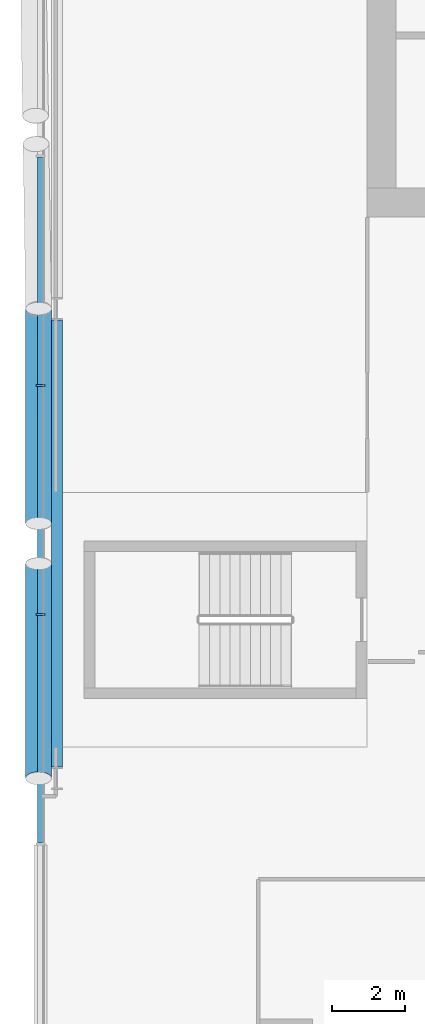
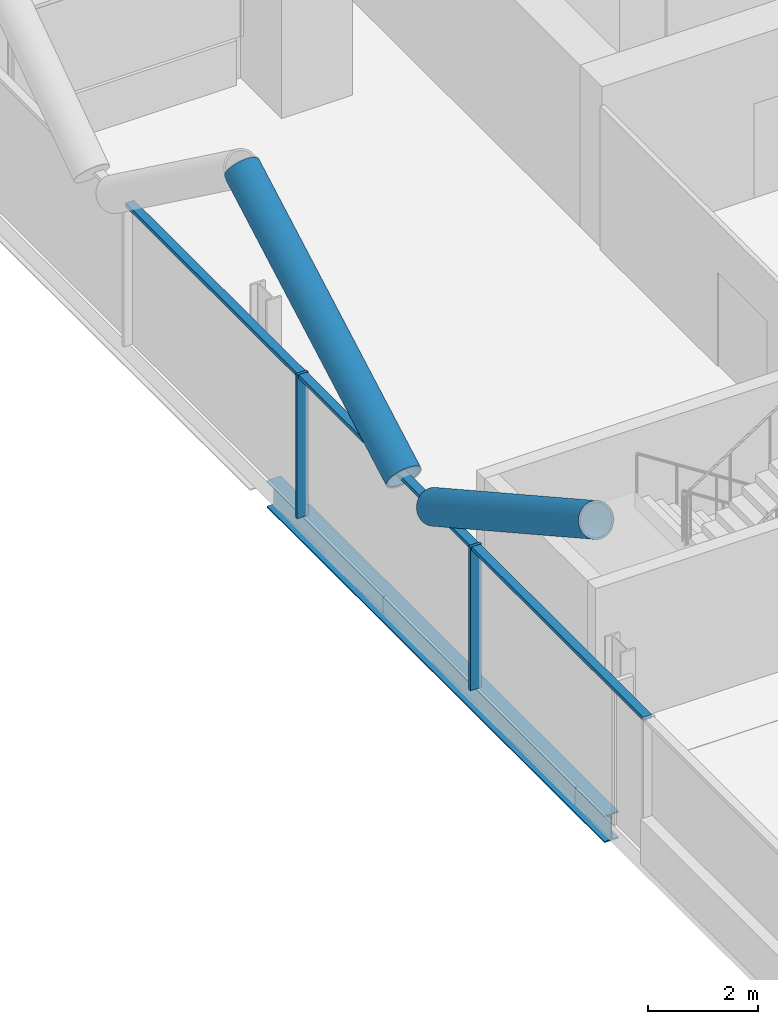
# One storey, part 7 of 26: 7 members, 1 beam, 1 element without a shape of its own.
"""IFC4 building model written with IfcOpenShell, lengths in metres."""

from ifc_helpers import new_model, si_unit, direction, frame, origin, origin_2d, place, context, subcontext, project, spatial, rectangle, hollow_circle, i_section, extrude, material, material_profile, profile_set, type_object, element, aggregate, save


model = new_model("IFC4")

# Units and contexts
model_context = context("Model", 3, precision=1e-05, world=origin(), true_north=direction((0.0, 1.0)))
body_context = subcontext(model_context, "Body", "Model", "MODEL_VIEW")
ifc_project = project(units=[si_unit("LENGTHUNIT", "METRE"), si_unit("AREAUNIT", "SQUARE_METRE"), si_unit("VOLUMEUNIT", "CUBIC_METRE"), si_unit("PLANEANGLEUNIT", "RADIAN"), si_unit("MASSUNIT", "GRAM", prefix="KILO")], contexts=[model_context])

# Site, building, storey
site_placement = place(None, origin())
site = spatial("IfcSite", under=ifc_project, at=site_placement, CompositionType="ELEMENT")
building_placement = place(site_placement, origin())
building = spatial("IfcBuilding", under=site, at=building_placement, Name="Wharfspan Tower", CompositionType="ELEMENT")
storey_placement = place(building_placement, frame((0.0, 0.0, 173.5)))
storey = spatial("IfcBuildingStorey", under=building, at=storey_placement, Name="L42", CompositionType="ELEMENT", Elevation=173.5)

# Beam
ifc_material_1 = material(Name="Steel S355J2", Category="steel")
ifc_material_profile_1 = material_profile(ifc_material_1, i_section(OverallWidth=0.300049, OverallDepth=0.600098, WebThickness=0.015381, FlangeThickness=0.030029, FilletRadius=0.0271, at=origin_2d()))
ifc_profile_set_1 = profile_set([ifc_material_profile_1], Name="Steel S355J2")
beam_type = type_object("IfcBeamType", Name="Edge beam HEB 600", PredefinedType="SPANDREL", material=ifc_profile_set_1)
beam_placement = place(storey_placement, frame((7.449951, 31.160645, -0.699951), z_axis=(0.0, -1.0, 0.0), x_axis=(1.0, 0.0, 0.0)))
element("IfcBeam", 1, at=beam_placement, inside=storey, type_object=beam_type, Name="Edge beam W L42 PW.1 to PW.2", PredefinedType="SPANDREL", context=body_context, shape_type="SweptSolid", body=[
    extrude(i_section(OverallWidth=0.300049, OverallDepth=0.600098, WebThickness=0.015381, FlangeThickness=0.030029, FilletRadius=0.0271, at=origin_2d()), origin(), (0.0, 0.0, 1.0), 12.321289),
])

# Curtain wall, members
ifc_material_2 = material(Name="Aluminium 6063-T6", Category="aluminium")
curtain_wall_type = type_object("IfcCurtainWallType", Name="CURTAIN WALL PROW AND END", PredefinedType="NOTDEFINED", material=ifc_material_2)
curtain_wall_placement = place(storey_placement, origin())
curtain_wall = element("IfcCurtainWall", 2, at=curtain_wall_placement, inside=storey, type_object=curtain_wall_type, Name="Curtain wall W", PredefinedType="NOTDEFINED")
ifc_material_profile_2 = material_profile(ifc_material_2, rectangle(XDim=0.23999, YDim=0.060059, at=origin_2d()))
ifc_profile_set_2 = profile_set([ifc_material_profile_2], Name="Aluminium 6063-T6")
member_type_1 = type_object("IfcMemberType", Name="MULLION PROW AND END 60x240", PredefinedType="MULLION", material=ifc_profile_set_2)
member_1_placement = place(storey_placement, frame((7.0, 29.360107, 0.0), z_axis=(0.0, 0.0, 1.0), x_axis=(1.0, 0.0, 0.0)))
member_1 = element("IfcMember", 3, at=member_1_placement, type_object=member_type_1, Name="Curtain wall W mullion 3", PredefinedType="MULLION", context=body_context, shape_type="SweptSolid", body=[
    extrude(rectangle(XDim=0.23999, YDim=0.060059, at=origin_2d()), origin(), (0.0, 0.0, 1.0), 3.199951),
])
member_2_placement = place(storey_placement, frame((7.0, 23.040039, 0.0), z_axis=(0.0, 0.0, 1.0), x_axis=(1.0, 0.0, 0.0)))
member_2 = element("IfcMember", 4, at=member_2_placement, type_object=member_type_1, Name="Curtain wall W mullion 4", PredefinedType="MULLION", context=body_context, shape_type="SweptSolid", body=[
    extrude(rectangle(XDim=0.23999, YDim=0.060059, at=origin_2d()), origin(), (0.0, 0.0, 1.0), 3.199951),
])

# Members
ifc_material_3 = material(Name="Steel S460NH", Category="steel")
ifc_material_profile_3 = material_profile(ifc_material_3, hollow_circle(Radius=0.355469, WallThickness=0.035889, at=origin_2d()))
ifc_profile_set_3 = profile_set([ifc_material_profile_3], Name="Steel S460NH")
member_type_2 = type_object("IfcMemberType", Name="Mega brace CHS 711x36", PredefinedType="BRACE", material=ifc_profile_set_3)
for number, where, z_axis, x_axis, name in (
    (5, (6.945068, 24.445557, 3.208496), (0.0, -0.873718, 0.486433), (1.0, 0.0, 0.0), "Mega brace W3 L42 part 2"),
    (6, (6.945068, 25.554443, 3.208496), (0.0, 0.873718, 0.486433), (-1.0, 0.0, 0.0), "Mega brace W3 L42 part 4"),
):
    element("IfcMember", number, at=place(storey_placement, frame(where, z_axis=z_axis, x_axis=x_axis)), inside=storey, type_object=member_type_2, Name=name, PredefinedType="BRACE", context=body_context, shape_type="SweptSolid", body=[
        extrude(hollow_circle(Radius=0.355469, WallThickness=0.035889, at=origin_2d()), origin(), (0.0, 0.0, 1.0), 6.766602),
    ])

# Member
ifc_material_profile_4 = material_profile(ifc_material_2, rectangle(XDim=0.179932, YDim=0.080078, at=origin_2d()))
ifc_profile_set_4 = profile_set([ifc_material_profile_4], Name="Aluminium 6063-T6")
member_type_3 = type_object("IfcMemberType", Name="TRANSOM PROW AND END 80x180", PredefinedType="USERDEFINED", material=ifc_profile_set_4)
member_3_placement = place(storey_placement, frame((7.0, 35.649902, 3.159912), z_axis=(0.0, -1.0, 0.0), x_axis=(1.0, 0.0, 0.0)))
member_3 = element("IfcMember", 7, at=member_3_placement, type_object=member_type_3, Name="Curtain wall W transom 2", ObjectType="TRANSOM", PredefinedType="USERDEFINED", context=body_context, shape_type="SweptSolid", body=[
    extrude(rectangle(XDim=0.179932, YDim=0.080078, at=origin_2d()), origin(), (0.0, 0.0, 1.0), 6.26001),
])

member_4_placement = place(storey_placement, frame((7.0, 29.330078, 3.159912), z_axis=(0.0, -1.0, 0.0), x_axis=(1.0, 0.0, 0.0)))
member_4 = element("IfcMember", 8, at=member_4_placement, type_object=member_type_3, Name="Curtain wall W transom 3", ObjectType="TRANSOM", PredefinedType="USERDEFINED", context=body_context, shape_type="SweptSolid", body=[
    extrude(rectangle(XDim=0.179932, YDim=0.080078, at=origin_2d()), origin(), (0.0, 0.0, 1.0), 6.26001),
])

member_5_placement = place(storey_placement, frame((7.0, 23.01001, 3.159912), z_axis=(0.0, -1.0, 0.0), x_axis=(1.0, 0.0, 0.0)))
member_5 = element("IfcMember", 9, at=member_5_placement, type_object=member_type_3, Name="Curtain wall W transom 4", ObjectType="TRANSOM", PredefinedType="USERDEFINED", context=body_context, shape_type="SweptSolid", body=[
    extrude(rectangle(XDim=0.179932, YDim=0.080078, at=origin_2d()), origin(), (0.0, 0.0, 1.0), 6.26001),
])

aggregate(curtain_wall, [member_1, member_2, member_3, member_4, member_5])

save(model, "model.ifc")
